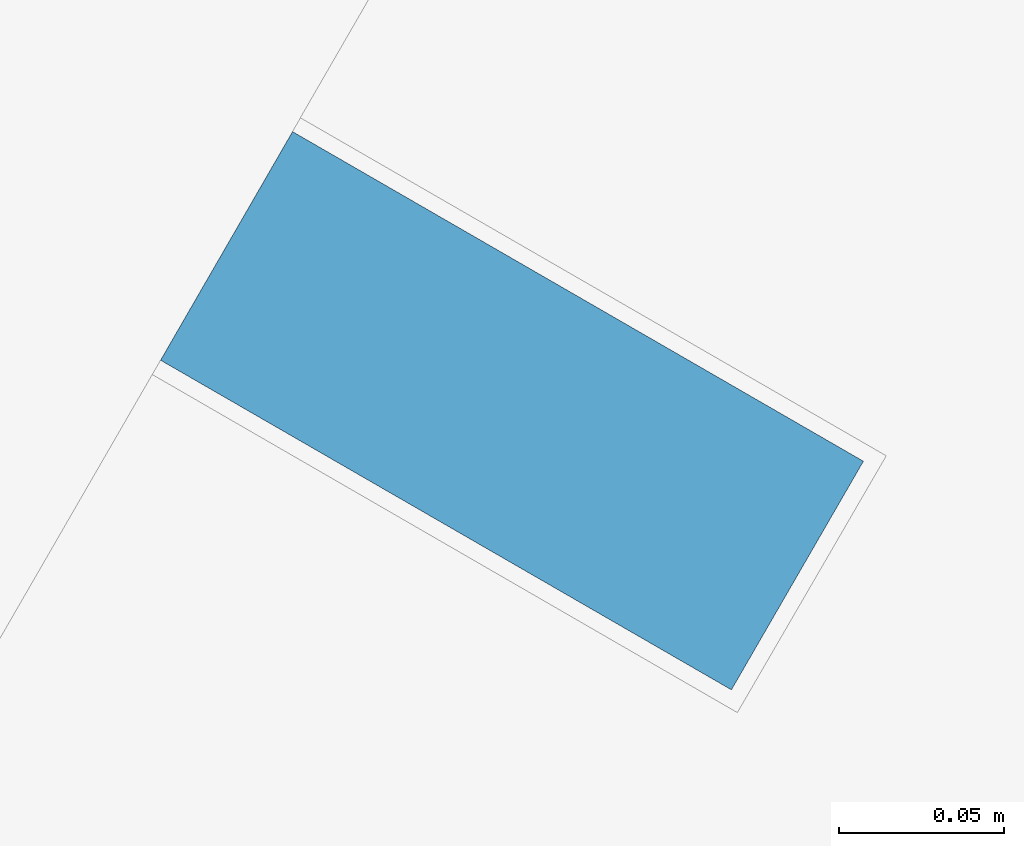
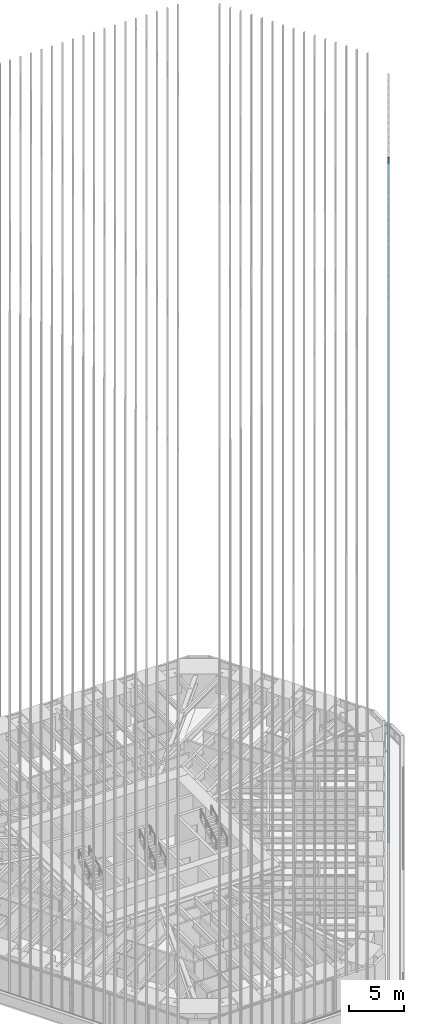
# One storey, part 103 of 238: 1 member, 1 element without a shape of its own.
"""IFC4 building model written with IfcOpenShell, lengths in metres."""

from ifc_helpers import new_model, si_unit, direction, frame, origin, origin_2d, place, context, subcontext, project, spatial, rectangle, extrude, material, material_profile, profile_set, type_object, element, aggregate, save


model = new_model("IFC4")

# Units and contexts
model_context = context("Model", 3, precision=1e-05, world=origin(), true_north=direction((0.0, 1.0)))
body_context = subcontext(model_context, "Body", "Model", "MODEL_VIEW")
ifc_project = project(units=[si_unit("LENGTHUNIT", "METRE"), si_unit("AREAUNIT", "SQUARE_METRE"), si_unit("VOLUMEUNIT", "CUBIC_METRE"), si_unit("PLANEANGLEUNIT", "RADIAN"), si_unit("MASSUNIT", "GRAM", prefix="KILO")], contexts=[model_context])

# Site, building, storey
site_placement = place(None, origin())
site = spatial("IfcSite", under=ifc_project, at=site_placement, CompositionType="ELEMENT")
building_placement = place(site_placement, origin())
building = spatial("IfcBuilding", under=site, at=building_placement, Name="Sandreach Pilgrim Tower", CompositionType="ELEMENT")
storey_placement = place(building_placement, frame((0.0, 0.0, 96.800048828125)))
storey = spatial("IfcBuildingStorey", under=building, at=storey_placement, Name="L23", CompositionType="ELEMENT", Elevation=96.800048828125)

# Curtain wall, member
ifc_material_1 = material(Name="Aluminium framed curtain wall", Category="aluminium")
curtain_wall_type = type_object("IfcCurtainWallType", Name="Hotel tower curtain wall", PredefinedType="NOTDEFINED", material=ifc_material_1)
curtain_wall_placement = place(storey_placement, origin())
curtain_wall = element("IfcCurtainWall", 1, at=curtain_wall_placement, inside=storey, type_object=curtain_wall_type, Name="CW-2 L23 SE", PredefinedType="NOTDEFINED")
ifc_material_2 = material(Name="Extruded terracotta on aluminium core", Category="masonry")
ifc_material_profile = material_profile(ifc_material_2, rectangle(XDim=0.080078125, YDim=0.199951171875, at=origin_2d()), Name="TBE 80X200")
ifc_profile_set = profile_set([ifc_material_profile], Name="Extruded terracotta on aluminium core")
member_type = type_object("IfcMemberType", Name="Terracotta baguette east", PredefinedType="USERDEFINED", material=ifc_profile_set)
member_placement = place(storey_placement, frame((22.028076171875, -7.6337890625, 0.0), z_axis=(0.0, 0.0, 1.0), x_axis=(-0.5, -0.866025403784, 0.0)))
member = element("IfcMember", 2, at=member_placement, type_object=member_type, Name="Baguette Z2 SE13", ObjectType="BAGUETTE", PredefinedType="USERDEFINED", context=body_context, shape_type="SweptSolid", body=[
    extrude(rectangle(XDim=0.080078125, YDim=0.199951171875, at=origin_2d()), origin(), (0.0, 0.0, 1.0), 75.83984375),
])
aggregate(curtain_wall, [member])

save(model, "model.ifc")
